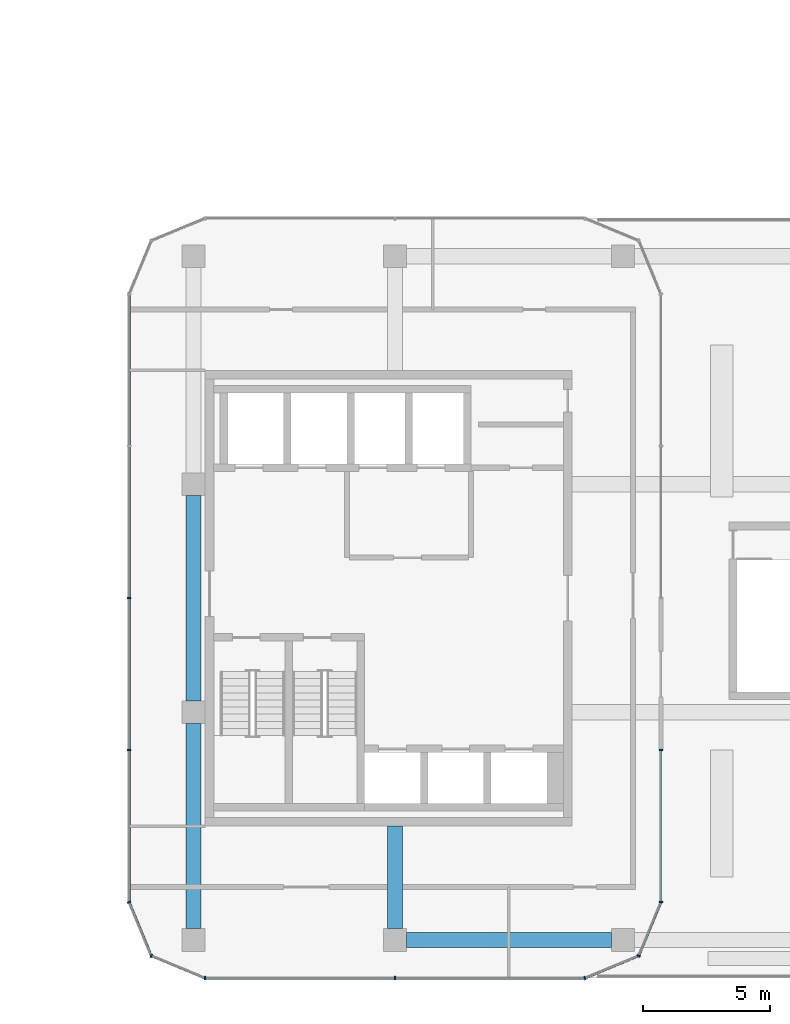
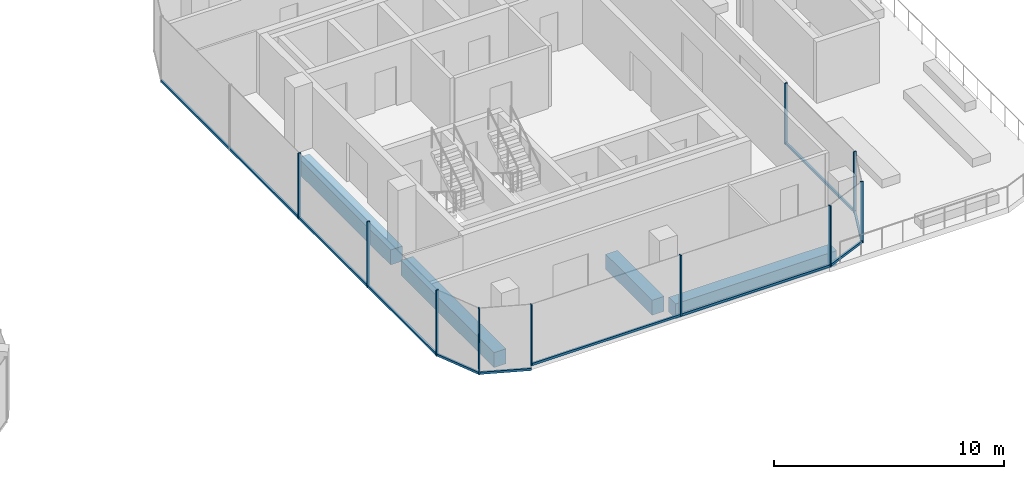
# One storey, part 7 of 22: 17 members, 4 beams, 7 elements without a shape of their own.
"""IFC4 building model written with IfcOpenShell, lengths in metres."""

import ifcopenshell
import ifcopenshell.guid

model = None  # the IFC model being written
_history = None  # IfcOwnerHistory: only IFC2X3 demands one
_inside = {}  # id of a spatial element -> (the spatial element, [elements in it])
_under = {}  # id of a project, library or spatial element -> (it, [spatial elements below it])
_declared = {}  # id of a project -> (the project, [libraries it declares])
_typed = {}  # id of a type object -> (the type object, [elements of that type])
_made_of = {}  # id of a material, layer set ... -> (it, [elements and type objects made of it])


def new_model(schema):
    """Start an empty IFC model of exactly this schema.

    Asked for "IFC4X3", IfcOpenShell would pick the latest addendum, in which some entities
    have other attributes; the version numbers below select the first issue.
    IFC2X3 requires an IfcOwnerHistory on every rooted entity: one is made here for all.
    """
    global model, _history
    if schema == "IFC4X3":
        model = ifcopenshell.file(schema_version=(4, 3, 0, 0))
    else:
        model = ifcopenshell.file(schema=schema)
    _inside.clear()
    _under.clear()
    _declared.clear()
    _typed.clear()
    _made_of.clear()
    _history = None
    if model.schema == "IFC2X3":
        org = make("IfcOrganization", Name="unknown")
        user = make(
            "IfcPersonAndOrganization",
            ThePerson=make("IfcPerson", FamilyName="unknown"),
            TheOrganization=org,
        )
        app = make(
            "IfcApplication",
            ApplicationDeveloper=org,
            Version="unknown",
            ApplicationFullName="unknown",
            ApplicationIdentifier="unknown",
        )
        _history = make(
            "IfcOwnerHistory",
            OwningUser=user,
            OwningApplication=app,
            ChangeAction="ADDED",
            CreationDate=0,
        )
    return model


def make(cls, **values):
    """One entity of the class cls with the attributes given. An attribute that is None is left unset."""
    return model.create_entity(
        cls, **{name: value for name, value in values.items() if value is not None}
    )


def rooted(cls, **values):
    """An entity with a GlobalId (a new one), such as an element, a storey or a relation."""
    return make(cls, GlobalId=ifcopenshell.guid.new(), OwnerHistory=_history, **values)


def si_unit(unit_type, name, prefix=None):
    """IfcSIUnit, for example si_unit("LENGTHUNIT", "METRE", prefix="MILLI")."""
    return make("IfcSIUnit", UnitType=unit_type, Prefix=prefix, Name=name)


def assignment(units):
    """IfcUnitAssignment: the units of a project."""
    return None if units is None else make("IfcUnitAssignment", Units=units)


def point(xyz):
    """IfcCartesianPoint."""
    return None if xyz is None else make("IfcCartesianPoint", Coordinates=xyz)


def direction(xyz):
    """IfcDirection."""
    return None if xyz is None else make("IfcDirection", DirectionRatios=xyz)


def frame(location, z_axis=None, x_axis=None):
    """IfcAxis2Placement3D, a coordinate frame: its origin and axes. An axis left out is left unset."""
    return make(
        "IfcAxis2Placement3D",
        Location=point(location),
        Axis=direction(z_axis),
        RefDirection=direction(x_axis),
    )


def frame_2d(location, x_axis=None):
    """IfcAxis2Placement2D, a coordinate frame in the plane: its origin and x axis."""
    return make(
        "IfcAxis2Placement2D", Location=point(location), RefDirection=direction(x_axis)
    )


def origin():
    """The frame at (0, 0, 0) with its axes left unset."""
    return frame((0.0, 0.0, 0.0))


def origin_2d():
    """The frame at (0, 0) in the plane with its x axis left unset."""
    return frame_2d((0.0, 0.0))


def place(relative_to, where):
    """IfcLocalPlacement: puts the frame where relative to a parent placement (None: the world)."""
    return make(
        "IfcLocalPlacement", PlacementRelTo=relative_to, RelativePlacement=where
    )


def context(
    kind, dimensions, precision=None, world=None, true_north=None, identifier=None
):
    """IfcGeometricRepresentationContext, for example the 3D "Model" context."""
    return make(
        "IfcGeometricRepresentationContext",
        ContextIdentifier=identifier,
        ContextType=kind,
        CoordinateSpaceDimension=dimensions,
        Precision=precision,
        WorldCoordinateSystem=world,
        TrueNorth=true_north,
    )


def subcontext(parent, identifier, kind, view, scale=None):
    """IfcGeometricRepresentationSubContext, for example "Body" below "Model"."""
    return make(
        "IfcGeometricRepresentationSubContext",
        ContextIdentifier=identifier,
        ContextType=kind,
        ParentContext=parent,
        TargetScale=scale,
        TargetView=view,
    )


def project(units=None, contexts=None):
    """IfcProject with its units and contexts."""
    return rooted(
        "IfcProject",
        Name="project",
        RepresentationContexts=contexts,
        UnitsInContext=assignment(units),
    )


def spatial(cls, under=None, at=None, **own):
    """A site, building, storey or space (cls), placed at a placement, below another one or the project."""
    s = rooted(cls, ObjectPlacement=at, **own)
    if under is not None:
        _under.setdefault(under.id(), (under, []))[1].append(s)
    return s


def profile(cls, at=None, kind="AREA", **sizes):
    """A parametric profile (cls). Its sizes go by their IFC names, for example OverallWidth=200.0."""
    return make(cls, ProfileType=kind, Position=at, **sizes)


def rectangle(**sizes):
    """IfcRectangleProfileDef."""
    return profile("IfcRectangleProfileDef", **sizes)


def extrude(swept, where, along, depth):
    """IfcExtrudedAreaSolid: the profile swept, set in the frame where, extruded along a direction by depth."""
    return make(
        "IfcExtrudedAreaSolid",
        SweptArea=swept,
        Position=where,
        ExtrudedDirection=direction(along),
        Depth=depth,
    )


def shape(context_of_items, identifier, shape_type, items):
    """IfcShapeRepresentation: the items that make up one representation, for example the "Body"."""
    return make(
        "IfcShapeRepresentation",
        ContextOfItems=context_of_items,
        RepresentationIdentifier=identifier,
        RepresentationType=shape_type,
        Items=items,
    )


def material(Name=None, Category=None):
    """IfcMaterial."""
    return make("IfcMaterial", Name=Name, Category=Category)


def layer(
    of_material, thickness, ventilated=None, Name=None, Category=None, Priority=None
):
    """IfcMaterialLayer: one layer of a wall or slab, of a material (None: an air gap)."""
    return make(
        "IfcMaterialLayer",
        Material=of_material,
        LayerThickness=thickness,
        IsVentilated=ventilated,
        Name=Name,
        Category=Category,
        Priority=Priority,
    )


def layer_set(layers, Name=None):
    """IfcMaterialLayerSet."""
    return make("IfcMaterialLayerSet", MaterialLayers=layers, LayerSetName=Name)


def material_profile(
    of_material, cross_section, Name=None, Category=None, Priority=None
):
    """IfcMaterialProfile: a cross section and its material."""
    return make(
        "IfcMaterialProfile",
        Name=Name,
        Material=of_material,
        Profile=cross_section,
        Priority=Priority,
        Category=Category,
    )


def profile_set(profiles, Name=None, composite=None):
    """IfcMaterialProfileSet."""
    return make(
        "IfcMaterialProfileSet",
        Name=Name,
        MaterialProfiles=profiles,
        CompositeProfile=composite,
    )


def made_of(thing, what):
    """Note that an element or type object is made of a material, layer set ...; save() writes the relation."""
    if what is not None:
        _made_of.setdefault(what.id(), (what, []))[1].append(thing)
    return thing


def type_object(cls, material=None, **own):
    """A type object (cls), such as IfcWallType, which elements share."""
    return made_of(rooted(cls, **own), material)


def element(
    cls,
    number,
    at=None,
    inside=None,
    cuts=None,
    type_object=None,
    material=None,
    context=None,
    identifier="Body",
    shape_type=None,
    held_by="IfcProductDefinitionShape",
    body=None,
    shapes=None,
    **own,
):
    """One element of the class cls, such as IfcWall. Its Tag is "e" and its number.

    at: its placement. inside: the storey or other place that contains it. cuts: it is an
    opening in that element (IfcRelVoidsElement). A single representation is given by context,
    identifier, shape_type and body (its items); several are given by shapes. held_by: the class
    of the entity that holds the representations. save() writes the other relations.
    """
    e = rooted(cls, Tag="e%d" % number, ObjectPlacement=at, **own)
    if body is not None:
        shapes = [shape(context, identifier, shape_type, body)]
    if shapes is not None:
        e.Representation = make(held_by, Representations=shapes)
    if inside is not None:
        _inside.setdefault(inside.id(), (inside, []))[1].append(e)
    if cuts is not None:
        rooted(
            "IfcRelVoidsElement", RelatingBuildingElement=cuts, RelatedOpeningElement=e
        )
    if type_object is not None:
        _typed.setdefault(type_object.id(), (type_object, []))[1].append(e)
    return made_of(e, material)


def aggregate(whole, parts):
    """IfcRelAggregates: a whole, such as a stair, and the parts it consists of."""
    return rooted("IfcRelAggregates", RelatingObject=whole, RelatedObjects=parts)


def save(model, path):
    """Write the relations noted so far, then the file.

    IfcRelAggregates (storeys below a building ...), IfcRelContainedInSpatialStructure (elements
    in a storey), IfcRelDefinesByType, IfcRelAssociatesMaterial and IfcRelDeclares: one each for
    every whole, place, type object, material and project.
    """
    for whole, parts in _under.values():
        aggregate(whole, parts)
    for where, things in _inside.values():
        rooted(
            "IfcRelContainedInSpatialStructure",
            RelatedElements=things,
            RelatingStructure=where,
        )
    for kind, things in _typed.values():
        rooted("IfcRelDefinesByType", RelatedObjects=things, RelatingType=kind)
    for what, things in _made_of.values():
        rooted("IfcRelAssociatesMaterial", RelatedObjects=things, RelatingMaterial=what)
    for by, libraries in _declared.values():
        rooted("IfcRelDeclares", RelatingContext=by, RelatedDefinitions=libraries)
    model.write(path)


model = new_model("IFC4")

# Units and contexts
model_context = context("Model", 3, precision=1e-05, world=origin(), true_north=direction((0.0, 1.0)))
body_context = subcontext(model_context, "Body", "Model", "MODEL_VIEW")
ifc_project = project(units=[si_unit("LENGTHUNIT", "METRE"), si_unit("AREAUNIT", "SQUARE_METRE"), si_unit("VOLUMEUNIT", "CUBIC_METRE"), si_unit("PLANEANGLEUNIT", "RADIAN"), si_unit("MASSUNIT", "GRAM", prefix="KILO")], contexts=[model_context])

# Site, building, storey
site_placement = place(None, origin())
site = spatial("IfcSite", under=ifc_project, at=site_placement, CompositionType="ELEMENT")
building_placement = place(site_placement, origin())
building = spatial("IfcBuilding", under=site, at=building_placement, Name="Plateau Cross Towers", CompositionType="ELEMENT")
storey_placement = place(building_placement, frame((0.0, 0.0, 116.800048828125)))
storey = spatial("IfcBuildingStorey", under=building, at=storey_placement, Name="L30", CompositionType="ELEMENT", Elevation=116.800048828125)

# Beam
ifc_material_1 = material(Name="Concrete C60/75", Category="concrete")
ifc_material_profile_1 = material_profile(ifc_material_1, rectangle(XDim=0.60009765625, YDim=0.800048828125, at=origin_2d()), Name="RC 600x800")
ifc_profile_set_1 = profile_set([ifc_material_profile_1], Name="Concrete C60/75")
beam_type_1 = type_object("IfcBeamType", Name="Core beam RC 600x800", PredefinedType="BEAM", material=ifc_profile_set_1)
beam_placement = place(storey_placement, frame((82.5, 0.0, -0.650146484375), z_axis=(0.0, -1.0, 0.0), x_axis=(1.0, 0.0, 0.0)))
element("IfcBeam", 1, at=beam_placement, inside=storey, type_object=beam_type_1, Name="B-CB01@L30", PredefinedType="BEAM", context=body_context, shape_type="SweptSolid", body=[
    extrude(rectangle(XDim=0.60009765625, YDim=0.800048828125, at=origin_2d()), origin(), (0.0, 0.0, 1.0), 4.050048828125),
])

# Curtain wall, members
ifc_material_2 = material(Name="Dark low-iron glass", Category="glass")
ifc_layer = layer(ifc_material_2, 0.239990234375)
ifc_layer_set = layer_set([ifc_layer], Name="Dark low-iron glass")
curtain_wall_type = type_object("IfcCurtainWallType", Name="Curtain wall office unitised CW-F", PredefinedType="NOTDEFINED", material=ifc_layer_set)
curtain_wall_1_placement = place(storey_placement, origin())
curtain_wall_1 = element("IfcCurtainWall", 2, at=curtain_wall_1_placement, inside=storey, type_object=curtain_wall_type, Name="ENV/B/L30/B750_-60", PredefinedType="NOTDEFINED")
ifc_material_3 = material(Name="Black anodised aluminium", Category="aluminium")
ifc_material_profile_2 = material_profile(ifc_material_3, rectangle(XDim=0.06005859375, YDim=0.139892578125, at=origin_2d()), Name="MULLION 60x140")
ifc_profile_set_2 = profile_set([ifc_material_profile_2], Name="Black anodised aluminium")
member_type_1 = type_object("IfcMemberType", Name="Mullion 60x140 office unitised", PredefinedType="MULLION", material=ifc_profile_set_2)
member_1_placement = place(storey_placement, frame((75.0, -6.0, 0.0), z_axis=(0.0, 0.0, 1.0), x_axis=(1.0, 0.0, 0.0)))
member_1 = element("IfcMember", 3, at=member_1_placement, type_object=member_type_1, Name="CW-F mullion 1", PredefinedType="MULLION", context=body_context, shape_type="SweptSolid", body=[
    extrude(rectangle(XDim=0.06005859375, YDim=0.139892578125, at=origin_2d()), origin(), (0.0, 0.0, 1.0), 3.25),
])
member_2_placement = place(storey_placement, frame((82.5, -6.0, 0.0), z_axis=(0.0, 0.0, 1.0), x_axis=(1.0, 0.0, 0.0)))
member_2 = element("IfcMember", 4, at=member_2_placement, type_object=member_type_1, Name="CW-F mullion 2", PredefinedType="MULLION", context=body_context, shape_type="SweptSolid", body=[
    extrude(rectangle(XDim=0.06005859375, YDim=0.139892578125, at=origin_2d()), origin(), (0.0, 0.0, 1.0), 3.25),
])

# Curtain wall, member
curtain_wall_2_placement = place(storey_placement, origin())
curtain_wall_2 = element("IfcCurtainWall", 5, at=curtain_wall_2_placement, inside=storey, type_object=curtain_wall_type, Name="ENV/B/L30/B900_-60", PredefinedType="NOTDEFINED")
member_3_placement = place(storey_placement, frame((90.0, -6.0, 0.0), z_axis=(0.0, 0.0, 1.0), x_axis=(0.923879457699, 0.382683612978, 0.0)))
member_3 = element("IfcMember", 6, at=member_3_placement, type_object=member_type_1, Name="CW-F mullion 1", PredefinedType="MULLION", context=body_context, shape_type="SweptSolid", body=[
    extrude(rectangle(XDim=0.06005859375, YDim=0.139892578125, at=origin_2d()), origin(), (0.0, 0.0, 1.0), 3.25),
])

curtain_wall_3_placement = place(storey_placement, origin())
curtain_wall_3 = element("IfcCurtainWall", 7, at=curtain_wall_3_placement, inside=storey, type_object=curtain_wall_type, Name="ENV/B/L30/B921_-51", PredefinedType="NOTDEFINED")
member_4_placement = place(storey_placement, frame((92.121337890625, -5.121337890625, 0.0), z_axis=(0.0, 0.0, 1.0), x_axis=(0.382683612978, 0.923879457699, 0.0)))
member_4 = element("IfcMember", 8, at=member_4_placement, type_object=member_type_1, Name="CW-F mullion 1", PredefinedType="MULLION", context=body_context, shape_type="SweptSolid", body=[
    extrude(rectangle(XDim=0.06005859375, YDim=0.139892578125, at=origin_2d()), origin(), (0.0, 0.0, 1.0), 3.25),
])

# Curtain wall, members
curtain_wall_4_placement = place(storey_placement, origin())
curtain_wall_4 = element("IfcCurtainWall", 9, at=curtain_wall_4_placement, inside=storey, type_object=curtain_wall_type, Name="ENV/B/L30/B930_-30", PredefinedType="NOTDEFINED")
member_5_placement = place(storey_placement, frame((93.0, -3.0, 0.0), z_axis=(0.0, 0.0, 1.0), x_axis=(0.0, 1.0, 0.0)))
member_5 = element("IfcMember", 10, at=member_5_placement, type_object=member_type_1, Name="CW-F mullion 1", PredefinedType="MULLION", context=body_context, shape_type="SweptSolid", body=[
    extrude(rectangle(XDim=0.06005859375, YDim=0.139892578125, at=origin_2d()), origin(), (0.0, 0.0, 1.0), 3.25),
])
member_6_placement = place(storey_placement, frame((93.0, 3.0, 0.0), z_axis=(0.0, 0.0, 1.0), x_axis=(0.0, 1.0, 0.0)))
member_6 = element("IfcMember", 11, at=member_6_placement, type_object=member_type_1, Name="CW-F mullion 2", PredefinedType="MULLION", context=body_context, shape_type="SweptSolid", body=[
    extrude(rectangle(XDim=0.06005859375, YDim=0.139892578125, at=origin_2d()), origin(), (0.0, 0.0, 1.0), 3.25),
])

curtain_wall_5_placement = place(storey_placement, origin())
curtain_wall_5 = element("IfcCurtainWall", 12, at=curtain_wall_5_placement, inside=storey, type_object=curtain_wall_type, Name="ENV/B/L30/B720_210", PredefinedType="NOTDEFINED")
member_7_placement = place(storey_placement, frame((72.0, 9.0, -0.25), z_axis=(0.0, 0.0, 1.0), x_axis=(0.0, -1.0, 0.0)))
member_7 = element("IfcMember", 13, at=member_7_placement, type_object=member_type_1, Name="CW-F mullion 3", PredefinedType="MULLION", context=body_context, shape_type="SweptSolid", body=[
    extrude(rectangle(XDim=0.06005859375, YDim=0.139892578125, at=origin_2d()), origin(), (0.0, 0.0, 1.0), 3.5),
])
member_8_placement = place(storey_placement, frame((72.0, 3.0, -0.25), z_axis=(0.0, 0.0, 1.0), x_axis=(0.0, -1.0, 0.0)))
member_8 = element("IfcMember", 14, at=member_8_placement, type_object=member_type_1, Name="CW-F mullion 4", PredefinedType="MULLION", context=body_context, shape_type="SweptSolid", body=[
    extrude(rectangle(XDim=0.06005859375, YDim=0.139892578125, at=origin_2d()), origin(), (0.0, 0.0, 1.0), 3.5),
])

# Curtain wall, member
curtain_wall_6_placement = place(storey_placement, origin())
curtain_wall_6 = element("IfcCurtainWall", 15, at=curtain_wall_6_placement, inside=storey, type_object=curtain_wall_type, Name="ENV/B/L30/B720_-30", PredefinedType="NOTDEFINED")
member_9_placement = place(storey_placement, frame((72.0, -3.0, -0.25), z_axis=(0.0, 0.0, 1.0), x_axis=(0.382683612978, -0.923879457699, 0.0)))
member_9 = element("IfcMember", 16, at=member_9_placement, type_object=member_type_1, Name="CW-F mullion 1", PredefinedType="MULLION", context=body_context, shape_type="SweptSolid", body=[
    extrude(rectangle(XDim=0.06005859375, YDim=0.139892578125, at=origin_2d()), origin(), (0.0, 0.0, 1.0), 3.5),
])

curtain_wall_7_placement = place(storey_placement, origin())
curtain_wall_7 = element("IfcCurtainWall", 17, at=curtain_wall_7_placement, inside=storey, type_object=curtain_wall_type, Name="ENV/B/L30/B729_-51", PredefinedType="NOTDEFINED")
member_10_placement = place(storey_placement, frame((72.878662109375, -5.121337890625, -0.25), z_axis=(0.0, 0.0, 1.0), x_axis=(0.923879457699, -0.382683612978, 0.0)))
member_10 = element("IfcMember", 18, at=member_10_placement, type_object=member_type_1, Name="CW-F mullion 1", PredefinedType="MULLION", context=body_context, shape_type="SweptSolid", body=[
    extrude(rectangle(XDim=0.06005859375, YDim=0.139892578125, at=origin_2d()), origin(), (0.0, 0.0, 1.0), 3.5),
])

# Beams
ifc_material_profile_3 = material_profile(ifc_material_1, rectangle(XDim=0.60009765625, YDim=0.800048828125, at=origin_2d()), Name="RC 600x800")
ifc_profile_set_3 = profile_set([ifc_material_profile_3], Name="Concrete C60/75")
beam_type_2 = type_object("IfcBeamType", Name="Ring beam RC 600x800", PredefinedType="BEAM", material=ifc_profile_set_3)
for number, where, z_axis, x_axis, name in (
    (19, (82.949951171875, -4.5, -0.650146484375), (1.0, 0.0, 0.0), (0.0, 1.0, 0.0), "B-RB01@L30"),
    (20, (74.550048828125, 13.050048828125, -0.650146484375), (0.0, -1.0, 0.0), (1.0, 0.0, 0.0), "B-RB09@L30"),
    (21, (74.550048828125, 4.050048828125, -0.650146484375), (0.0, -1.0, 0.0), (1.0, 0.0, 0.0), "B-RB10@L30"),
):
    element("IfcBeam", number, at=place(storey_placement, frame(where, z_axis=z_axis, x_axis=x_axis)), inside=storey, type_object=beam_type_2, Name=name, PredefinedType="BEAM", context=body_context, shape_type="SweptSolid", body=[
        extrude(rectangle(XDim=0.60009765625, YDim=0.800048828125, at=origin_2d()), origin(), (0.0, 0.0, 1.0), 8.10009765625),
    ])

# Member
ifc_material_profile_4 = material_profile(ifc_material_3, rectangle(XDim=0.10009765625, YDim=0.1201171875, at=origin_2d()), Name="TRANSOM 100x120")
ifc_profile_set_4 = profile_set([ifc_material_profile_4], Name="Black anodised aluminium")
member_type_2 = type_object("IfcMemberType", Name="Transom 100x120 office unitised", PredefinedType="USERDEFINED", material=ifc_profile_set_4)
member_11_placement = place(storey_placement, frame((75.0, -6.0, 0.06005859375), z_axis=(1.0, 0.0, 0.0), x_axis=(0.0, 1.0, 0.0)))
member_11 = element("IfcMember", 22, at=member_11_placement, type_object=member_type_2, Name="CW-F transom", ObjectType="TRANSOM", PredefinedType="USERDEFINED", context=body_context, shape_type="SweptSolid", body=[
    extrude(rectangle(XDim=0.10009765625, YDim=0.1201171875, at=origin_2d()), origin(), (0.0, 0.0, 1.0), 15.0),
])

aggregate(curtain_wall_1, [member_1, member_2, member_11])

member_12_placement = place(storey_placement, frame((90.0, -6.0, 0.06005859375), z_axis=(0.923883353507, 0.382674207535, 0.0), x_axis=(-0.382674207535, 0.923883353507, 0.0)))
member_12 = element("IfcMember", 23, at=member_12_placement, type_object=member_type_2, Name="CW-F transom", ObjectType="TRANSOM", PredefinedType="USERDEFINED", context=body_context, shape_type="SweptSolid", body=[
    extrude(rectangle(XDim=0.10009765625, YDim=0.1201171875, at=origin_2d()), origin(), (0.0, 0.0, 1.0), 2.296142578125),
])

aggregate(curtain_wall_2, [member_3, member_12])

member_13_placement = place(storey_placement, frame((92.121337890625, -5.121337890625, 0.06005859375), z_axis=(0.382674207535, 0.923883353507, 0.0), x_axis=(-0.923883353507, 0.382674207535, 0.0)))
member_13 = element("IfcMember", 24, at=member_13_placement, type_object=member_type_2, Name="CW-F transom", ObjectType="TRANSOM", PredefinedType="USERDEFINED", context=body_context, shape_type="SweptSolid", body=[
    extrude(rectangle(XDim=0.10009765625, YDim=0.1201171875, at=origin_2d()), origin(), (0.0, 0.0, 1.0), 2.296142578125),
])

aggregate(curtain_wall_3, [member_4, member_13])

member_14_placement = place(storey_placement, frame((93.0, -3.0, 0.06005859375), z_axis=(0.0, 1.0, 0.0), x_axis=(-1.0, 0.0, 0.0)))
member_14 = element("IfcMember", 25, at=member_14_placement, type_object=member_type_2, Name="CW-F transom", ObjectType="TRANSOM", PredefinedType="USERDEFINED", context=body_context, shape_type="SweptSolid", body=[
    extrude(rectangle(XDim=0.10009765625, YDim=0.1201171875, at=origin_2d()), origin(), (0.0, 0.0, 1.0), 6.0),
])

aggregate(curtain_wall_4, [member_5, member_6, member_14])

member_15_placement = place(storey_placement, frame((72.0, 21.0, -0.18994140625), z_axis=(0.0, -1.0, 0.0), x_axis=(1.0, 0.0, 0.0)))
member_15 = element("IfcMember", 26, at=member_15_placement, type_object=member_type_2, Name="CW-F transom", ObjectType="TRANSOM", PredefinedType="USERDEFINED", context=body_context, shape_type="SweptSolid", body=[
    extrude(rectangle(XDim=0.10009765625, YDim=0.1201171875, at=origin_2d()), origin(), (0.0, 0.0, 1.0), 24.0),
])

aggregate(curtain_wall_5, [member_7, member_8, member_15])

member_16_placement = place(storey_placement, frame((72.0, -3.0, -0.18994140625), z_axis=(0.382674207535, -0.923883353507, 0.0), x_axis=(0.923883353507, 0.382674207535, 0.0)))
member_16 = element("IfcMember", 27, at=member_16_placement, type_object=member_type_2, Name="CW-F transom", ObjectType="TRANSOM", PredefinedType="USERDEFINED", context=body_context, shape_type="SweptSolid", body=[
    extrude(rectangle(XDim=0.10009765625, YDim=0.1201171875, at=origin_2d()), origin(), (0.0, 0.0, 1.0), 2.296142578125),
])

aggregate(curtain_wall_6, [member_9, member_16])

member_17_placement = place(storey_placement, frame((72.878662109375, -5.121337890625, -0.18994140625), z_axis=(0.923883353507, -0.382674207535, 0.0), x_axis=(0.382674207535, 0.923883353507, 0.0)))
member_17 = element("IfcMember", 28, at=member_17_placement, type_object=member_type_2, Name="CW-F transom", ObjectType="TRANSOM", PredefinedType="USERDEFINED", context=body_context, shape_type="SweptSolid", body=[
    extrude(rectangle(XDim=0.10009765625, YDim=0.1201171875, at=origin_2d()), origin(), (0.0, 0.0, 1.0), 2.296142578125),
])

aggregate(curtain_wall_7, [member_10, member_17])

save(model, "model.ifc")
